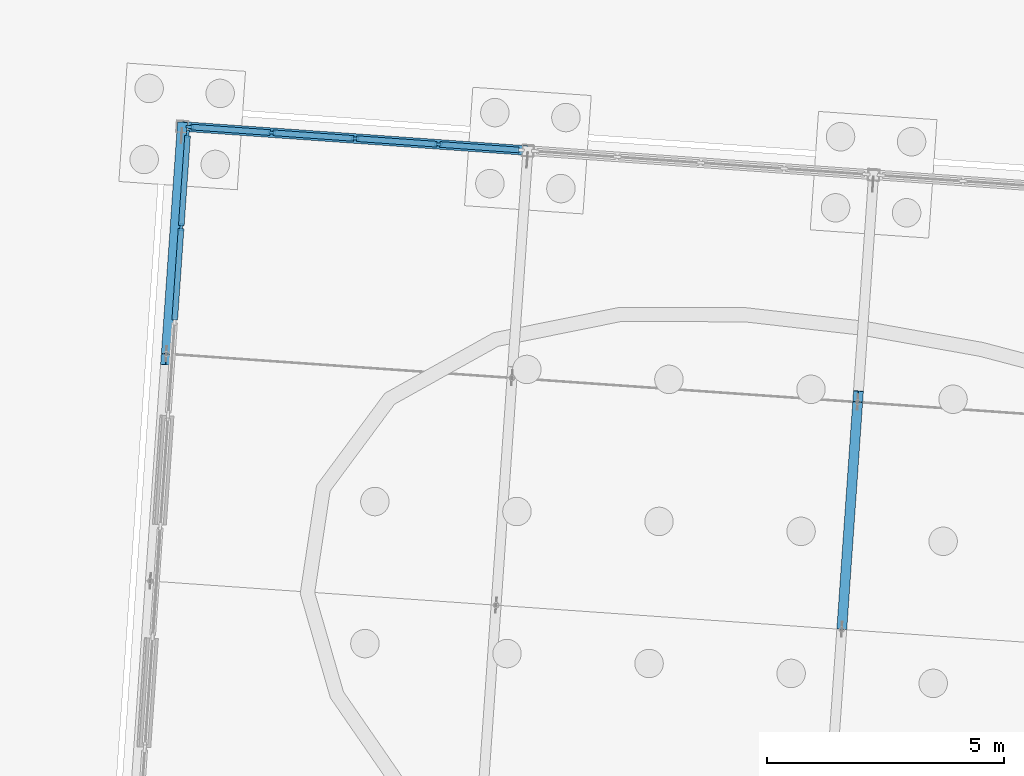
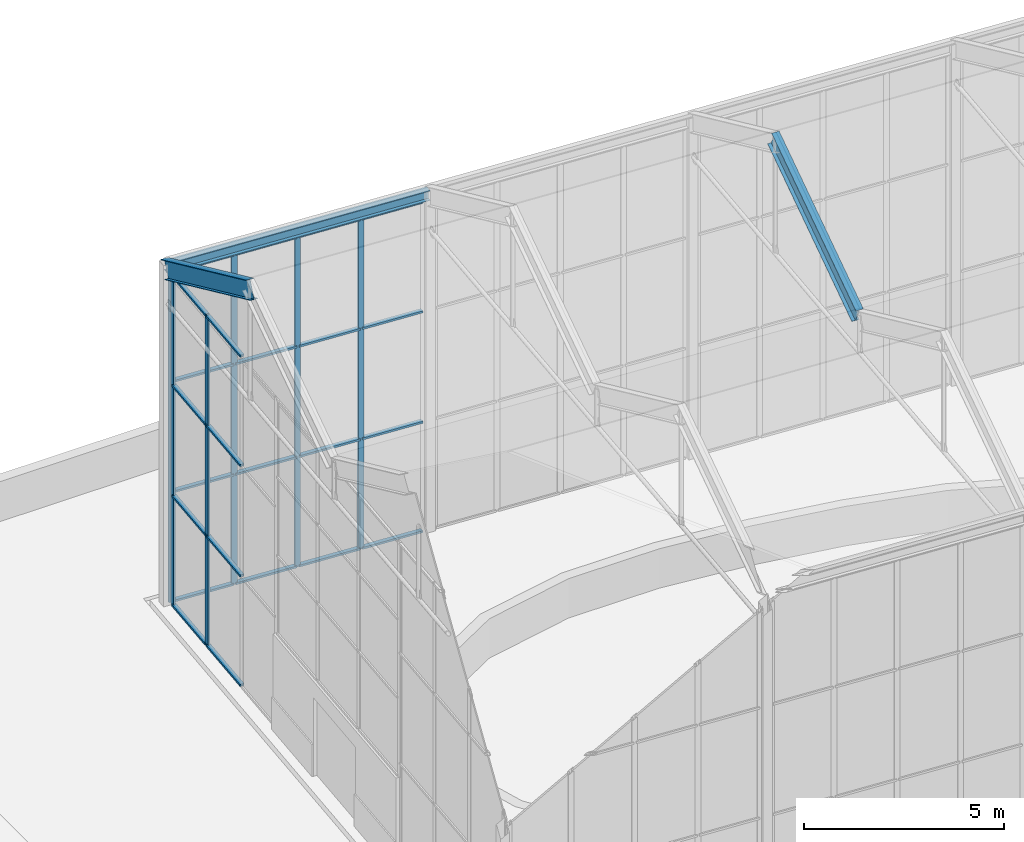
# One storey, part 59 of 157: 32 members, 1 beam, 2 elements without a shape of their own.
"""IFC4 building model written with IfcOpenShell, lengths in metres."""

from ifc_helpers import new_model, si_unit, direction, frame, origin, origin_2d, place, context, subcontext, project, spatial, rectangle, i_section, extrude, material, material_profile, profile_set, type_object, element, aggregate, save


model = new_model("IFC4")

# Units and contexts
model_context = context("Model", 3, precision=1e-05, world=origin(), true_north=direction((0.0, 1.0)))
body_context = subcontext(model_context, "Body", "Model", "MODEL_VIEW")
ifc_project = project(units=[si_unit("LENGTHUNIT", "METRE"), si_unit("AREAUNIT", "SQUARE_METRE"), si_unit("VOLUMEUNIT", "CUBIC_METRE"), si_unit("PLANEANGLEUNIT", "RADIAN"), si_unit("MASSUNIT", "GRAM", prefix="KILO")], contexts=[model_context])

# Site, building, storey
site_placement = place(None, origin())
site = spatial("IfcSite", under=ifc_project, at=site_placement, CompositionType="ELEMENT")
building_placement = place(site_placement, origin())
building = spatial("IfcBuilding", under=site, at=building_placement, Name="Windward Yard Aquatics Centre", CompositionType="ELEMENT")
storey_placement = place(building_placement, origin())
storey = spatial("IfcBuildingStorey", under=building, at=storey_placement, Name="L00", CompositionType="ELEMENT", Elevation=0.0)

# Curtain wall, members
ifc_material_1 = material(Name="Aluminium curtain wall system", Category="aluminium")
curtain_wall_type = type_object("IfcCurtainWallType", Name="W curtain wall 1900", PredefinedType="NOTDEFINED", material=ifc_material_1)
curtain_wall_1_placement = place(storey_placement, origin())
curtain_wall_1 = element("IfcCurtainWall", 1, at=curtain_wall_1_placement, inside=storey, type_object=curtain_wall_type, Name="Wing north glazing L00 1", PredefinedType="NOTDEFINED")
ifc_material_2 = material(Name="Aluminium mullion", Category="aluminium")
ifc_material_profile_1 = material_profile(ifc_material_2, rectangle(XDim=0.06005859375, YDim=0.159912109375, at=origin_2d()), Name="AL 60x160")
ifc_profile_set_1 = profile_set([ifc_material_profile_1], Name="Aluminium mullion")
member_type_1 = type_object("IfcMemberType", Name="W CW mullion 60x160", PredefinedType="MULLION", material=ifc_profile_set_1)
member_1_placement = place(storey_placement, frame((73.34716796875, 138.525634765625, 0.0), z_axis=(0.0, 0.0, 1.0), x_axis=(0.069756251182, 0.997564065823, 0.0)))
member_1 = element("IfcMember", 2, at=member_1_placement, type_object=member_type_1, Name="WCW1 mullion 1", PredefinedType="MULLION", context=body_context, shape_type="SweptSolid", body=[
    extrude(rectangle(XDim=0.06005859375, YDim=0.159912109375, at=origin_2d()), origin(), (0.0, 0.0, 1.0), 10.097900390625),
])
member_2_placement = place(storey_placement, frame((75.074462890625, 138.40478515625, 0.0), z_axis=(0.0, 0.0, 1.0), x_axis=(0.069756251182, 0.997564065823, 0.0)))
member_2 = element("IfcMember", 3, at=member_2_placement, type_object=member_type_1, Name="WCW1 mullion 2", PredefinedType="MULLION", context=body_context, shape_type="SweptSolid", body=[
    extrude(rectangle(XDim=0.06005859375, YDim=0.159912109375, at=origin_2d()), origin(), (0.0, 0.0, 1.0), 10.097900390625),
])
member_3_placement = place(storey_placement, frame((76.83154296875, 138.281982421875, 0.0), z_axis=(0.0, 0.0, 1.0), x_axis=(0.069756251182, 0.997564065823, 0.0)))
member_3 = element("IfcMember", 4, at=member_3_placement, type_object=member_type_1, Name="WCW1 mullion 3", PredefinedType="MULLION", context=body_context, shape_type="SweptSolid", body=[
    extrude(rectangle(XDim=0.06005859375, YDim=0.159912109375, at=origin_2d()), origin(), (0.0, 0.0, 1.0), 10.097900390625),
])
member_4_placement = place(storey_placement, frame((78.5888671875, 138.1591796875, 0.0), z_axis=(0.0, 0.0, 1.0), x_axis=(0.069756251182, 0.997564065823, 0.0)))
member_4 = element("IfcMember", 5, at=member_4_placement, type_object=member_type_1, Name="WCW1 mullion 4", PredefinedType="MULLION", context=body_context, shape_type="SweptSolid", body=[
    extrude(rectangle(XDim=0.06005859375, YDim=0.159912109375, at=origin_2d()), origin(), (0.0, 0.0, 1.0), 10.097900390625),
])

curtain_wall_2_placement = place(storey_placement, origin())
curtain_wall_2 = element("IfcCurtainWall", 6, at=curtain_wall_2_placement, inside=storey, type_object=curtain_wall_type, Name="Wing west glazing L00 2", PredefinedType="NOTDEFINED")
member_5_placement = place(storey_placement, frame((73.16943359375, 136.414794921875, 0.0), z_axis=(0.0, 0.0, 1.0), x_axis=(-0.997564736506, 0.069746659268, 0.0)))
member_5 = element("IfcMember", 7, at=member_5_placement, type_object=member_type_1, Name="WCW1 mullion 3", PredefinedType="MULLION", context=body_context, shape_type="SweptSolid", body=[
    extrude(rectangle(XDim=0.06005859375, YDim=0.159912109375, at=origin_2d()), origin(), (0.0, 0.0, 1.0), 10.097900390625),
])
member_6_placement = place(storey_placement, frame((73.30615234375, 138.37109375, 0.0), z_axis=(0.0, 0.0, 1.0), x_axis=(-0.997564736506, 0.069746659268, 0.0)))
member_6 = element("IfcMember", 8, at=member_6_placement, type_object=member_type_1, Name="WCW1 mullion 4", PredefinedType="MULLION", context=body_context, shape_type="SweptSolid", body=[
    extrude(rectangle(XDim=0.06005859375, YDim=0.159912109375, at=origin_2d()), origin(), (0.0, 0.0, 1.0), 10.097900390625),
])

# Member
ifc_material_3 = material(Name="Aluminium transom", Category="aluminium")
ifc_material_profile_2 = material_profile(ifc_material_3, rectangle(XDim=0.1201171875, YDim=0.06005859375, at=origin_2d()), Name="AL 120x60")
ifc_profile_set_2 = profile_set([ifc_material_profile_2], Name="Aluminium transom")
member_type_2 = type_object("IfcMemberType", Name="W CW transom 120x60", PredefinedType="USERDEFINED", material=ifc_profile_set_2)
member_7_placement = place(storey_placement, frame((73.376953125, 138.5234375, 0.030029296875), z_axis=(0.997570145889, -0.069669247378, 0.0), x_axis=(0.069669247378, 0.997570145889, 0.0)))
member_7 = element("IfcMember", 9, at=member_7_placement, type_object=member_type_2, Name="WCW1 transom 1.1", ObjectType="TRANSOM", PredefinedType="USERDEFINED", context=body_context, shape_type="SweptSolid", body=[
    extrude(rectangle(XDim=0.1201171875, YDim=0.06005859375, at=origin_2d()), origin(), (0.0, 0.0, 1.0), 1.671630859375),
])

member_8_placement = place(storey_placement, frame((73.376953125, 138.5234375, 3.365966796875), z_axis=(0.997570145889, -0.069669247378, 0.0), x_axis=(0.069669247378, 0.997570145889, 0.0)))
member_8 = element("IfcMember", 10, at=member_8_placement, type_object=member_type_2, Name="WCW1 transom 1.2", ObjectType="TRANSOM", PredefinedType="USERDEFINED", context=body_context, shape_type="SweptSolid", body=[
    extrude(rectangle(XDim=0.1201171875, YDim=0.06005859375, at=origin_2d()), origin(), (0.0, 0.0, 1.0), 1.671630859375),
])

member_9_placement = place(storey_placement, frame((73.376953125, 138.5234375, 6.73193359375), z_axis=(0.997570145889, -0.069669247378, 0.0), x_axis=(0.069669247378, 0.997570145889, 0.0)))
member_9 = element("IfcMember", 11, at=member_9_placement, type_object=member_type_2, Name="WCW1 transom 1.3", ObjectType="TRANSOM", PredefinedType="USERDEFINED", context=body_context, shape_type="SweptSolid", body=[
    extrude(rectangle(XDim=0.1201171875, YDim=0.06005859375, at=origin_2d()), origin(), (0.0, 0.0, 1.0), 1.671630859375),
])

member_10_placement = place(storey_placement, frame((73.376953125, 138.5234375, 10.068115234375), z_axis=(0.997570145889, -0.069669247378, 0.0), x_axis=(0.069669247378, 0.997570145889, 0.0)))
member_10 = element("IfcMember", 12, at=member_10_placement, type_object=member_type_2, Name="WCW1 transom 1.4", ObjectType="TRANSOM", PredefinedType="USERDEFINED", context=body_context, shape_type="SweptSolid", body=[
    extrude(rectangle(XDim=0.1201171875, YDim=0.06005859375, at=origin_2d()), origin(), (0.0, 0.0, 1.0), 1.671630859375),
])

member_11_placement = place(storey_placement, frame((75.104248046875, 138.40283203125, 0.030029296875), z_axis=(0.997556068016, -0.069870531443, 0.0), x_axis=(0.069870531443, 0.997556068016, 0.0)))
member_11 = element("IfcMember", 13, at=member_11_placement, type_object=member_type_2, Name="WCW1 transom 2.1", ObjectType="TRANSOM", PredefinedType="USERDEFINED", context=body_context, shape_type="SweptSolid", body=[
    extrude(rectangle(XDim=0.1201171875, YDim=0.06005859375, at=origin_2d()), origin(), (0.0, 0.0, 1.0), 1.70166015625),
])

member_12_placement = place(storey_placement, frame((75.104248046875, 138.40283203125, 3.365966796875), z_axis=(0.997556068016, -0.069870531443, 0.0), x_axis=(0.069870531443, 0.997556068016, 0.0)))
member_12 = element("IfcMember", 14, at=member_12_placement, type_object=member_type_2, Name="WCW1 transom 2.2", ObjectType="TRANSOM", PredefinedType="USERDEFINED", context=body_context, shape_type="SweptSolid", body=[
    extrude(rectangle(XDim=0.1201171875, YDim=0.06005859375, at=origin_2d()), origin(), (0.0, 0.0, 1.0), 1.70166015625),
])

member_13_placement = place(storey_placement, frame((75.104248046875, 138.40283203125, 6.73193359375), z_axis=(0.997556068016, -0.069870531443, 0.0), x_axis=(0.069870531443, 0.997556068016, 0.0)))
member_13 = element("IfcMember", 15, at=member_13_placement, type_object=member_type_2, Name="WCW1 transom 2.3", ObjectType="TRANSOM", PredefinedType="USERDEFINED", context=body_context, shape_type="SweptSolid", body=[
    extrude(rectangle(XDim=0.1201171875, YDim=0.06005859375, at=origin_2d()), origin(), (0.0, 0.0, 1.0), 1.70166015625),
])

member_14_placement = place(storey_placement, frame((75.104248046875, 138.40283203125, 10.068115234375), z_axis=(0.997556068016, -0.069870531443, 0.0), x_axis=(0.069870531443, 0.997556068016, 0.0)))
member_14 = element("IfcMember", 16, at=member_14_placement, type_object=member_type_2, Name="WCW1 transom 2.4", ObjectType="TRANSOM", PredefinedType="USERDEFINED", context=body_context, shape_type="SweptSolid", body=[
    extrude(rectangle(XDim=0.1201171875, YDim=0.06005859375, at=origin_2d()), origin(), (0.0, 0.0, 1.0), 1.70166015625),
])

member_15_placement = place(storey_placement, frame((76.861572265625, 138.27978515625, 0.030029296875), z_axis=(0.997565360109, -0.069737739501, 0.0), x_axis=(0.069737739501, 0.997565360109, 0.0)))
member_15 = element("IfcMember", 17, at=member_15_placement, type_object=member_type_2, Name="WCW1 transom 3.1", ObjectType="TRANSOM", PredefinedType="USERDEFINED", context=body_context, shape_type="SweptSolid", body=[
    extrude(rectangle(XDim=0.1201171875, YDim=0.06005859375, at=origin_2d()), origin(), (0.0, 0.0, 1.0), 1.701416015625),
])

member_16_placement = place(storey_placement, frame((76.861572265625, 138.27978515625, 3.365966796875), z_axis=(0.997565360109, -0.069737739501, 0.0), x_axis=(0.069737739501, 0.997565360109, 0.0)))
member_16 = element("IfcMember", 18, at=member_16_placement, type_object=member_type_2, Name="WCW1 transom 3.2", ObjectType="TRANSOM", PredefinedType="USERDEFINED", context=body_context, shape_type="SweptSolid", body=[
    extrude(rectangle(XDim=0.1201171875, YDim=0.06005859375, at=origin_2d()), origin(), (0.0, 0.0, 1.0), 1.701416015625),
])

member_17_placement = place(storey_placement, frame((76.861572265625, 138.27978515625, 6.73193359375), z_axis=(0.997565360109, -0.069737739501, 0.0), x_axis=(0.069737739501, 0.997565360109, 0.0)))
member_17 = element("IfcMember", 19, at=member_17_placement, type_object=member_type_2, Name="WCW1 transom 3.3", ObjectType="TRANSOM", PredefinedType="USERDEFINED", context=body_context, shape_type="SweptSolid", body=[
    extrude(rectangle(XDim=0.1201171875, YDim=0.06005859375, at=origin_2d()), origin(), (0.0, 0.0, 1.0), 1.701416015625),
])

member_18_placement = place(storey_placement, frame((76.861572265625, 138.27978515625, 10.068115234375), z_axis=(0.997565360109, -0.069737739501, 0.0), x_axis=(0.069737739501, 0.997565360109, 0.0)))
member_18 = element("IfcMember", 20, at=member_18_placement, type_object=member_type_2, Name="WCW1 transom 3.4", ObjectType="TRANSOM", PredefinedType="USERDEFINED", context=body_context, shape_type="SweptSolid", body=[
    extrude(rectangle(XDim=0.1201171875, YDim=0.06005859375, at=origin_2d()), origin(), (0.0, 0.0, 1.0), 1.701416015625),
])

member_19_placement = place(storey_placement, frame((78.61865234375, 138.156982421875, 0.030029296875), z_axis=(0.99755998444, -0.069814593347, 0.0), x_axis=(0.069814593347, 0.99755998444, 0.0)))
member_19 = element("IfcMember", 21, at=member_19_placement, type_object=member_type_2, Name="WCW1 transom 4.1", ObjectType="TRANSOM", PredefinedType="USERDEFINED", context=body_context, shape_type="SweptSolid", body=[
    extrude(rectangle(XDim=0.1201171875, YDim=0.06005859375, at=origin_2d()), origin(), (0.0, 0.0, 1.0), 1.671630859375),
])

member_20_placement = place(storey_placement, frame((78.61865234375, 138.156982421875, 3.365966796875), z_axis=(0.99755998444, -0.069814593347, 0.0), x_axis=(0.069814593347, 0.99755998444, 0.0)))
member_20 = element("IfcMember", 22, at=member_20_placement, type_object=member_type_2, Name="WCW1 transom 4.2", ObjectType="TRANSOM", PredefinedType="USERDEFINED", context=body_context, shape_type="SweptSolid", body=[
    extrude(rectangle(XDim=0.1201171875, YDim=0.06005859375, at=origin_2d()), origin(), (0.0, 0.0, 1.0), 1.671630859375),
])

member_21_placement = place(storey_placement, frame((78.61865234375, 138.156982421875, 6.73193359375), z_axis=(0.99755998444, -0.069814593347, 0.0), x_axis=(0.069814593347, 0.99755998444, 0.0)))
member_21 = element("IfcMember", 23, at=member_21_placement, type_object=member_type_2, Name="WCW1 transom 4.3", ObjectType="TRANSOM", PredefinedType="USERDEFINED", context=body_context, shape_type="SweptSolid", body=[
    extrude(rectangle(XDim=0.1201171875, YDim=0.06005859375, at=origin_2d()), origin(), (0.0, 0.0, 1.0), 1.671630859375),
])

member_22_placement = place(storey_placement, frame((78.61865234375, 138.156982421875, 10.068115234375), z_axis=(0.99755998444, -0.069814593347, 0.0), x_axis=(0.069814593347, 0.99755998444, 0.0)))
member_22 = element("IfcMember", 24, at=member_22_placement, type_object=member_type_2, Name="WCW1 transom 4.4", ObjectType="TRANSOM", PredefinedType="USERDEFINED", context=body_context, shape_type="SweptSolid", body=[
    extrude(rectangle(XDim=0.1201171875, YDim=0.06005859375, at=origin_2d()), origin(), (0.0, 0.0, 1.0), 1.671630859375),
])

aggregate(curtain_wall_1, [member_1, member_2, member_3, member_4, member_7, member_8, member_9, member_10, member_11, member_12, member_13, member_14, member_15, member_16, member_17, member_18, member_19, member_20, member_21, member_22])

member_23_placement = place(storey_placement, frame((73.03271484375, 134.45849609375, 0.030029296875), z_axis=(0.069656777367, 0.997571016703, 0.0), x_axis=(-0.997571016703, 0.069656777367, 0.0)))
member_23 = element("IfcMember", 25, at=member_23_placement, type_object=member_type_2, Name="WCW1 transom 2.1", ObjectType="TRANSOM", PredefinedType="USERDEFINED", context=body_context, shape_type="SweptSolid", body=[
    extrude(rectangle(XDim=0.1201171875, YDim=0.06005859375, at=origin_2d()), origin(), (0.0, 0.0, 1.0), 1.93115234375),
])

member_24_placement = place(storey_placement, frame((73.03271484375, 134.45849609375, 3.365966796875), z_axis=(0.069656777367, 0.997571016703, 0.0), x_axis=(-0.997571016703, 0.069656777367, 0.0)))
member_24 = element("IfcMember", 26, at=member_24_placement, type_object=member_type_2, Name="WCW1 transom 2.2", ObjectType="TRANSOM", PredefinedType="USERDEFINED", context=body_context, shape_type="SweptSolid", body=[
    extrude(rectangle(XDim=0.1201171875, YDim=0.06005859375, at=origin_2d()), origin(), (0.0, 0.0, 1.0), 1.93115234375),
])

member_25_placement = place(storey_placement, frame((73.03271484375, 134.45849609375, 6.73193359375), z_axis=(0.069656777367, 0.997571016703, 0.0), x_axis=(-0.997571016703, 0.069656777367, 0.0)))
member_25 = element("IfcMember", 27, at=member_25_placement, type_object=member_type_2, Name="WCW1 transom 2.3", ObjectType="TRANSOM", PredefinedType="USERDEFINED", context=body_context, shape_type="SweptSolid", body=[
    extrude(rectangle(XDim=0.1201171875, YDim=0.06005859375, at=origin_2d()), origin(), (0.0, 0.0, 1.0), 1.93115234375),
])

member_26_placement = place(storey_placement, frame((73.03271484375, 134.45849609375, 10.068115234375), z_axis=(0.069656777367, 0.997571016703, 0.0), x_axis=(-0.997571016703, 0.069656777367, 0.0)))
member_26 = element("IfcMember", 28, at=member_26_placement, type_object=member_type_2, Name="WCW1 transom 2.4", ObjectType="TRANSOM", PredefinedType="USERDEFINED", context=body_context, shape_type="SweptSolid", body=[
    extrude(rectangle(XDim=0.1201171875, YDim=0.06005859375, at=origin_2d()), origin(), (0.0, 0.0, 1.0), 1.93115234375),
])

member_27_placement = place(storey_placement, frame((73.171630859375, 136.44482421875, 0.030029296875), z_axis=(0.069740938471, 0.99756513647, 0.0), x_axis=(-0.99756513647, 0.069740938471, 0.0)))
member_27 = element("IfcMember", 29, at=member_27_placement, type_object=member_type_2, Name="WCW1 transom 3.1", ObjectType="TRANSOM", PredefinedType="USERDEFINED", context=body_context, shape_type="SweptSolid", body=[
    extrude(rectangle(XDim=0.1201171875, YDim=0.06005859375, at=origin_2d()), origin(), (0.0, 0.0, 1.0), 1.90087890625),
])

member_28_placement = place(storey_placement, frame((73.171630859375, 136.44482421875, 3.365966796875), z_axis=(0.069740938471, 0.99756513647, 0.0), x_axis=(-0.99756513647, 0.069740938471, 0.0)))
member_28 = element("IfcMember", 30, at=member_28_placement, type_object=member_type_2, Name="WCW1 transom 3.2", ObjectType="TRANSOM", PredefinedType="USERDEFINED", context=body_context, shape_type="SweptSolid", body=[
    extrude(rectangle(XDim=0.1201171875, YDim=0.06005859375, at=origin_2d()), origin(), (0.0, 0.0, 1.0), 1.90087890625),
])

member_29_placement = place(storey_placement, frame((73.171630859375, 136.44482421875, 6.73193359375), z_axis=(0.069740938471, 0.99756513647, 0.0), x_axis=(-0.99756513647, 0.069740938471, 0.0)))
member_29 = element("IfcMember", 31, at=member_29_placement, type_object=member_type_2, Name="WCW1 transom 3.3", ObjectType="TRANSOM", PredefinedType="USERDEFINED", context=body_context, shape_type="SweptSolid", body=[
    extrude(rectangle(XDim=0.1201171875, YDim=0.06005859375, at=origin_2d()), origin(), (0.0, 0.0, 1.0), 1.90087890625),
])

member_30_placement = place(storey_placement, frame((73.171630859375, 136.44482421875, 10.068115234375), z_axis=(0.069740938471, 0.99756513647, 0.0), x_axis=(-0.99756513647, 0.069740938471, 0.0)))
member_30 = element("IfcMember", 32, at=member_30_placement, type_object=member_type_2, Name="WCW1 transom 3.4", ObjectType="TRANSOM", PredefinedType="USERDEFINED", context=body_context, shape_type="SweptSolid", body=[
    extrude(rectangle(XDim=0.1201171875, YDim=0.06005859375, at=origin_2d()), origin(), (0.0, 0.0, 1.0), 1.90087890625),
])

aggregate(curtain_wall_2, [member_5, member_6, member_23, member_24, member_25, member_26, member_27, member_28, member_29, member_30])

# Beam
ifc_material_4 = material(Name="Steel S355", Category="steel")
ifc_material_profile_3 = material_profile(ifc_material_4, i_section(OverallWidth=0.202880859375, OverallDepth=0.302001953125, WebThickness=0.007568359375, FlangeThickness=0.01318359375, at=origin_2d()), Name="W310x60")
ifc_profile_set_3 = profile_set([ifc_material_profile_3], Name="Steel S355")
beam_type = type_object("IfcBeamType", Name="W W310x60 beam", PredefinedType="BEAM", material=ifc_profile_set_3)
beam_placement = place(storey_placement, frame((73.1904296875, 138.53662109375, 10.2490234375), z_axis=(0.997563531133, -0.069763897209, 0.0), x_axis=(0.069763897209, 0.997563531133, 0.0)))
element("IfcBeam", 33, at=beam_placement, inside=storey, type_object=beam_type, Name="W.HEB.N.1", PredefinedType="BEAM", context=body_context, shape_type="SweptSolid", body=[
    extrude(i_section(OverallWidth=0.202880859375, OverallDepth=0.302001953125, WebThickness=0.007568359375, FlangeThickness=0.01318359375, at=origin_2d()), origin(), (0.0, 0.0, 1.0), 7.300048828125),
])

# Members
ifc_material_profile_4 = material_profile(ifc_material_4, i_section(OverallWidth=0.208984375, OverallDepth=0.532958984375, WebThickness=0.01025390625, FlangeThickness=0.015625, at=origin_2d()), Name="W530x92")
ifc_profile_set_4 = profile_set([ifc_material_profile_4], Name="Steel S355")
member_type_3 = type_object("IfcMemberType", Name="W W530x92 rafter", PredefinedType="RAFTER", material=ifc_profile_set_4)
member_31_placement = place(storey_placement, frame((72.847412109375, 133.62939453125, 12.66162109375), z_axis=(0.062391425024, 0.892237572744, -0.447235311516), x_axis=(-0.997564042786, 0.069756580627, 0.0)))
element("IfcMember", 34, at=member_31_placement, inside=storey, type_object=member_type_3, Name="W.RAF.1.4", PredefinedType="RAFTER", context=body_context, shape_type="SweptSolid", body=[
    extrude(i_section(OverallWidth=0.208984375, OverallDepth=0.532958984375, WebThickness=0.01025390625, FlangeThickness=0.015625, at=origin_2d()), origin(), (0.0, 0.0, 1.0), 5.466552734375),
])
member_32_placement = place(storey_placement, frame((87.093505859375, 128.060302734375, 10.26171875), z_axis=(0.062416464274, 0.892255184986, 0.447196679162), x_axis=(-0.997562190208, 0.069783068626, 0.0)))
element("IfcMember", 35, at=member_32_placement, inside=storey, type_object=member_type_3, Name="W.RAF.3.3", PredefinedType="RAFTER", context=body_context, shape_type="SweptSolid", body=[
    extrude(i_section(OverallWidth=0.208984375, OverallDepth=0.532958984375, WebThickness=0.01025390625, FlangeThickness=0.015625, at=origin_2d()), origin(), (0.0, 0.0, 1.0), 5.366455078125),
])

save(model, "model.ifc")
